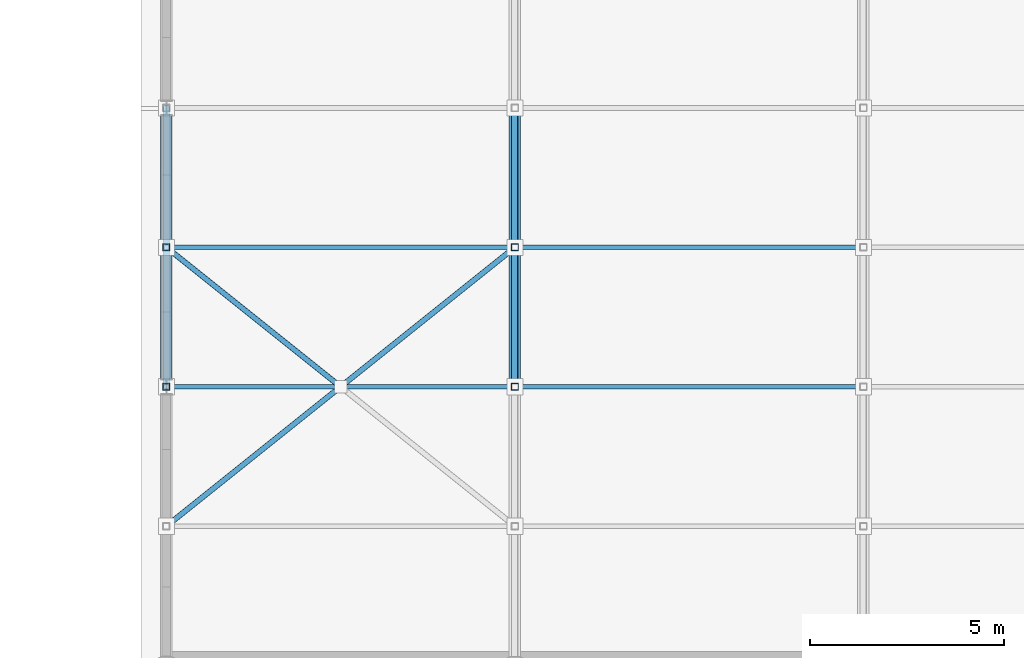
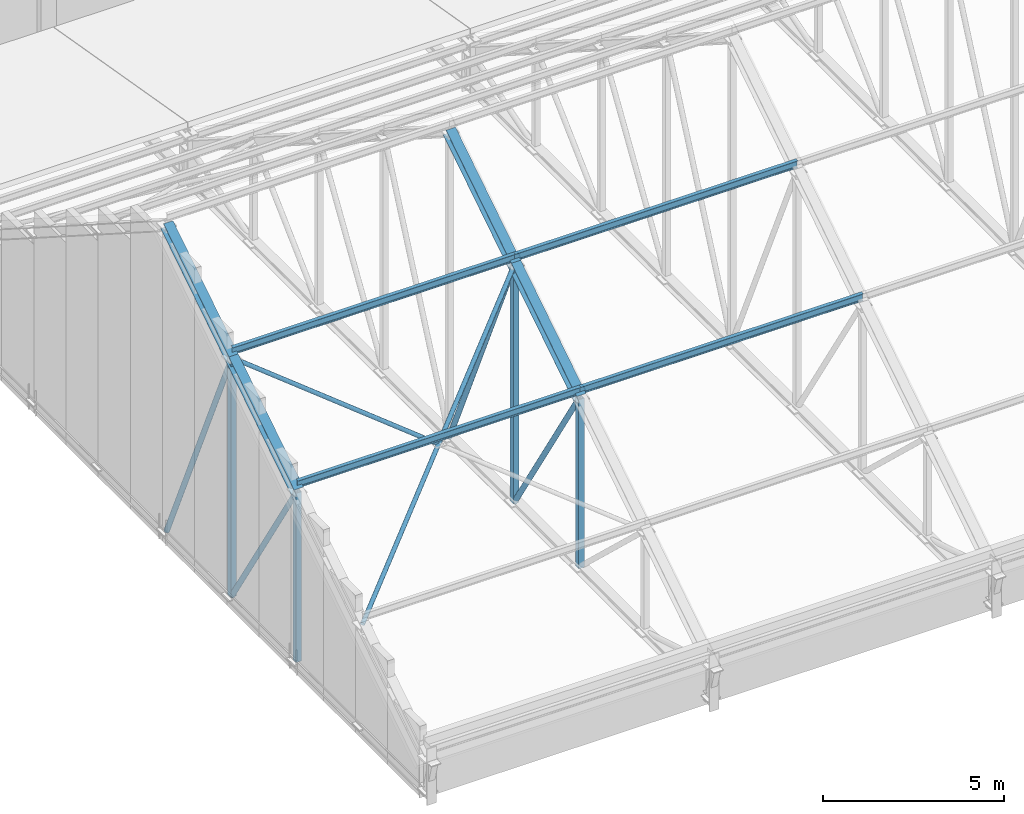
# One storey, part 80 of 182: 18 members.
"""IFC4 building model written with IfcOpenShell, lengths in metres."""

import ifcopenshell
import ifcopenshell.guid

model = None  # the IFC model being written
_history = None  # IfcOwnerHistory: only IFC2X3 demands one
_inside = {}  # id of a spatial element -> (the spatial element, [elements in it])
_under = {}  # id of a project, library or spatial element -> (it, [spatial elements below it])
_declared = {}  # id of a project -> (the project, [libraries it declares])
_typed = {}  # id of a type object -> (the type object, [elements of that type])
_made_of = {}  # id of a material, layer set ... -> (it, [elements and type objects made of it])


def new_model(schema):
    """Start an empty IFC model of exactly this schema.

    Asked for "IFC4X3", IfcOpenShell would pick the latest addendum, in which some entities
    have other attributes; the version numbers below select the first issue.
    IFC2X3 requires an IfcOwnerHistory on every rooted entity: one is made here for all.
    """
    global model, _history
    if schema == "IFC4X3":
        model = ifcopenshell.file(schema_version=(4, 3, 0, 0))
    else:
        model = ifcopenshell.file(schema=schema)
    _inside.clear()
    _under.clear()
    _declared.clear()
    _typed.clear()
    _made_of.clear()
    _history = None
    if model.schema == "IFC2X3":
        org = make("IfcOrganization", Name="unknown")
        user = make(
            "IfcPersonAndOrganization",
            ThePerson=make("IfcPerson", FamilyName="unknown"),
            TheOrganization=org,
        )
        app = make(
            "IfcApplication",
            ApplicationDeveloper=org,
            Version="unknown",
            ApplicationFullName="unknown",
            ApplicationIdentifier="unknown",
        )
        _history = make(
            "IfcOwnerHistory",
            OwningUser=user,
            OwningApplication=app,
            ChangeAction="ADDED",
            CreationDate=0,
        )
    return model


def make(cls, **values):
    """One entity of the class cls with the attributes given. An attribute that is None is left unset."""
    return model.create_entity(
        cls, **{name: value for name, value in values.items() if value is not None}
    )


def rooted(cls, **values):
    """An entity with a GlobalId (a new one), such as an element, a storey or a relation."""
    return make(cls, GlobalId=ifcopenshell.guid.new(), OwnerHistory=_history, **values)


def si_unit(unit_type, name, prefix=None):
    """IfcSIUnit, for example si_unit("LENGTHUNIT", "METRE", prefix="MILLI")."""
    return make("IfcSIUnit", UnitType=unit_type, Prefix=prefix, Name=name)


def assignment(units):
    """IfcUnitAssignment: the units of a project."""
    return None if units is None else make("IfcUnitAssignment", Units=units)


def point(xyz):
    """IfcCartesianPoint."""
    return None if xyz is None else make("IfcCartesianPoint", Coordinates=xyz)


def direction(xyz):
    """IfcDirection."""
    return None if xyz is None else make("IfcDirection", DirectionRatios=xyz)


def frame(location, z_axis=None, x_axis=None):
    """IfcAxis2Placement3D, a coordinate frame: its origin and axes. An axis left out is left unset."""
    return make(
        "IfcAxis2Placement3D",
        Location=point(location),
        Axis=direction(z_axis),
        RefDirection=direction(x_axis),
    )


def frame_2d(location, x_axis=None):
    """IfcAxis2Placement2D, a coordinate frame in the plane: its origin and x axis."""
    return make(
        "IfcAxis2Placement2D", Location=point(location), RefDirection=direction(x_axis)
    )


def origin():
    """The frame at (0, 0, 0) with its axes left unset."""
    return frame((0.0, 0.0, 0.0))


def origin_2d():
    """The frame at (0, 0) in the plane with its x axis left unset."""
    return frame_2d((0.0, 0.0))


def place(relative_to, where):
    """IfcLocalPlacement: puts the frame where relative to a parent placement (None: the world)."""
    return make(
        "IfcLocalPlacement", PlacementRelTo=relative_to, RelativePlacement=where
    )


def context(
    kind, dimensions, precision=None, world=None, true_north=None, identifier=None
):
    """IfcGeometricRepresentationContext, for example the 3D "Model" context."""
    return make(
        "IfcGeometricRepresentationContext",
        ContextIdentifier=identifier,
        ContextType=kind,
        CoordinateSpaceDimension=dimensions,
        Precision=precision,
        WorldCoordinateSystem=world,
        TrueNorth=true_north,
    )


def subcontext(parent, identifier, kind, view, scale=None):
    """IfcGeometricRepresentationSubContext, for example "Body" below "Model"."""
    return make(
        "IfcGeometricRepresentationSubContext",
        ContextIdentifier=identifier,
        ContextType=kind,
        ParentContext=parent,
        TargetScale=scale,
        TargetView=view,
    )


def project(units=None, contexts=None):
    """IfcProject with its units and contexts."""
    return rooted(
        "IfcProject",
        Name="project",
        RepresentationContexts=contexts,
        UnitsInContext=assignment(units),
    )


def spatial(cls, under=None, at=None, **own):
    """A site, building, storey or space (cls), placed at a placement, below another one or the project."""
    s = rooted(cls, ObjectPlacement=at, **own)
    if under is not None:
        _under.setdefault(under.id(), (under, []))[1].append(s)
    return s


def profile(cls, at=None, kind="AREA", **sizes):
    """A parametric profile (cls). Its sizes go by their IFC names, for example OverallWidth=200.0."""
    return make(cls, ProfileType=kind, Position=at, **sizes)


def hollow_rectangle(**sizes):
    """IfcRectangleHollowProfileDef."""
    return profile("IfcRectangleHollowProfileDef", **sizes)


def hollow_circle(**sizes):
    """IfcCircleHollowProfileDef."""
    return profile("IfcCircleHollowProfileDef", **sizes)


def i_section(**sizes):
    """IfcIShapeProfileDef."""
    return profile("IfcIShapeProfileDef", **sizes)


def extrude(swept, where, along, depth):
    """IfcExtrudedAreaSolid: the profile swept, set in the frame where, extruded along a direction by depth."""
    return make(
        "IfcExtrudedAreaSolid",
        SweptArea=swept,
        Position=where,
        ExtrudedDirection=direction(along),
        Depth=depth,
    )


def shape(context_of_items, identifier, shape_type, items):
    """IfcShapeRepresentation: the items that make up one representation, for example the "Body"."""
    return make(
        "IfcShapeRepresentation",
        ContextOfItems=context_of_items,
        RepresentationIdentifier=identifier,
        RepresentationType=shape_type,
        Items=items,
    )


def material(Name=None, Category=None):
    """IfcMaterial."""
    return make("IfcMaterial", Name=Name, Category=Category)


def material_profile(
    of_material, cross_section, Name=None, Category=None, Priority=None
):
    """IfcMaterialProfile: a cross section and its material."""
    return make(
        "IfcMaterialProfile",
        Name=Name,
        Material=of_material,
        Profile=cross_section,
        Priority=Priority,
        Category=Category,
    )


def profile_set(profiles, Name=None, composite=None):
    """IfcMaterialProfileSet."""
    return make(
        "IfcMaterialProfileSet",
        Name=Name,
        MaterialProfiles=profiles,
        CompositeProfile=composite,
    )


def made_of(thing, what):
    """Note that an element or type object is made of a material, layer set ...; save() writes the relation."""
    if what is not None:
        _made_of.setdefault(what.id(), (what, []))[1].append(thing)
    return thing


def type_object(cls, material=None, **own):
    """A type object (cls), such as IfcWallType, which elements share."""
    return made_of(rooted(cls, **own), material)


def element(
    cls,
    number,
    at=None,
    inside=None,
    cuts=None,
    type_object=None,
    material=None,
    context=None,
    identifier="Body",
    shape_type=None,
    held_by="IfcProductDefinitionShape",
    body=None,
    shapes=None,
    **own,
):
    """One element of the class cls, such as IfcWall. Its Tag is "e" and its number.

    at: its placement. inside: the storey or other place that contains it. cuts: it is an
    opening in that element (IfcRelVoidsElement). A single representation is given by context,
    identifier, shape_type and body (its items); several are given by shapes. held_by: the class
    of the entity that holds the representations. save() writes the other relations.
    """
    e = rooted(cls, Tag="e%d" % number, ObjectPlacement=at, **own)
    if body is not None:
        shapes = [shape(context, identifier, shape_type, body)]
    if shapes is not None:
        e.Representation = make(held_by, Representations=shapes)
    if inside is not None:
        _inside.setdefault(inside.id(), (inside, []))[1].append(e)
    if cuts is not None:
        rooted(
            "IfcRelVoidsElement", RelatingBuildingElement=cuts, RelatedOpeningElement=e
        )
    if type_object is not None:
        _typed.setdefault(type_object.id(), (type_object, []))[1].append(e)
    return made_of(e, material)


def aggregate(whole, parts):
    """IfcRelAggregates: a whole, such as a stair, and the parts it consists of."""
    return rooted("IfcRelAggregates", RelatingObject=whole, RelatedObjects=parts)


def save(model, path):
    """Write the relations noted so far, then the file.

    IfcRelAggregates (storeys below a building ...), IfcRelContainedInSpatialStructure (elements
    in a storey), IfcRelDefinesByType, IfcRelAssociatesMaterial and IfcRelDeclares: one each for
    every whole, place, type object, material and project.
    """
    for whole, parts in _under.values():
        aggregate(whole, parts)
    for where, things in _inside.values():
        rooted(
            "IfcRelContainedInSpatialStructure",
            RelatedElements=things,
            RelatingStructure=where,
        )
    for kind, things in _typed.values():
        rooted("IfcRelDefinesByType", RelatedObjects=things, RelatingType=kind)
    for what, things in _made_of.values():
        rooted("IfcRelAssociatesMaterial", RelatedObjects=things, RelatingMaterial=what)
    for by, libraries in _declared.values():
        rooted("IfcRelDeclares", RelatingContext=by, RelatedDefinitions=libraries)
    model.write(path)


model = new_model("IFC4")

# Units and contexts
model_context = context("Model", 3, precision=1e-05, world=origin(), true_north=direction((0.0, 1.0)))
body_context = subcontext(model_context, "Body", "Model", "MODEL_VIEW")
ifc_project = project(units=[si_unit("LENGTHUNIT", "METRE"), si_unit("AREAUNIT", "SQUARE_METRE"), si_unit("VOLUMEUNIT", "CUBIC_METRE"), si_unit("PLANEANGLEUNIT", "RADIAN"), si_unit("MASSUNIT", "GRAM", prefix="KILO")], contexts=[model_context])

# Site, building, storey
site_placement = place(None, origin())
site = spatial("IfcSite", under=ifc_project, at=site_placement, CompositionType="ELEMENT")
building_placement = place(site_placement, origin())
building = spatial("IfcBuilding", under=site, at=building_placement, Name="Chiffa Square Polytechnic", CompositionType="ELEMENT")
storey_placement = place(building_placement, frame((0.0, 0.0, 9.60009765625)))
storey = spatial("IfcBuildingStorey", under=building, at=storey_placement, Name="L02", CompositionType="ELEMENT", Elevation=9.60009765625)

# Members
ifc_material = material(Name="Steel S355", Category="steel")
ifc_material_profile_1 = material_profile(ifc_material, hollow_circle(Radius=0.06982421875, WallThickness=0.008056640625, at=origin_2d()), Name="CHS 139.7x8")
ifc_profile_set_1 = profile_set([ifc_material_profile_1], Name="Steel S355")
member_type_1 = type_object("IfcMemberType", Name="MEM-BRC-CHS140", PredefinedType="BRACE", material=ifc_profile_set_1)
member_1_placement = place(storey_placement, frame((112.199951171875, 61.800048828125, 3.75), z_axis=(0.725245496543, 0.580192462526, 0.370669227441), x_axis=(-0.624692464322, 0.780870876022, 0.0)))
element("IfcMember", 1, at=member_1_placement, inside=storey, type_object=member_type_1, Name="Workshop continuous roof X-brace BR-V2-RF-01S1", PredefinedType="BRACE", context=body_context, shape_type="SweptSolid", body=[
    extrude(hollow_circle(Radius=0.06982421875, WallThickness=0.008056640625, at=origin_2d()), origin(), (0.0, 0.0, 1.0), 12.40966796875),
])
member_2_placement = place(storey_placement, frame((112.199951171875, 69.0, 8.349853515625), z_axis=(0.725231929607, -0.580201282226, -0.370681966625), x_axis=(0.624705380279, 0.780860543151, 0.0)))
element("IfcMember", 2, at=member_2_placement, inside=storey, type_object=member_type_1, Name="Workshop split roof X-brace segment BR-V2-RF-01S2A", PredefinedType="BRACE", context=body_context, shape_type="SweptSolid", body=[
    extrude(hollow_circle(Radius=0.06982421875, WallThickness=0.008056640625, at=origin_2d()), origin(), (0.0, 0.0, 1.0), 6.204833984375),
])
ifc_material_profile_2 = material_profile(ifc_material, i_section(OverallWidth=0.300048828125, OverallDepth=0.31005859375, WebThickness=0.009033203125, FlangeThickness=0.015380859375, FilletRadius=0.027099609375, at=origin_2d()), Name="HEA 320")
ifc_profile_set_2 = profile_set([ifc_material_profile_2], Name="Steel S355")
member_type_2 = type_object("IfcMemberType", Name="MEM-CHORD-HEA320", PredefinedType="CHORD", material=ifc_profile_set_2)
for number, where, z_axis, x_axis, name in (
    (3, (112.199951171875, 65.39990234375, 6.0498046875), (0.0, 0.84269770024, 0.538387022512), (-1.0, 0.0, 0.0), "Workshop roof truss top chord TCT-V2-01-03"),
    (4, (112.199951171875, 69.0, 8.349853515625), (0.0, 0.84269770024, 0.538387022512), (-1.0, 0.0, 0.0), "Workshop roof truss top chord TCT-V2-01-04"),
    (5, (121.199951171875, 65.39990234375, 6.0498046875), (0.0, 0.84269770024, 0.538387022512), (-1.0, 0.0, 0.0), "Workshop roof truss top chord TCT-V2-02-03"),
    (6, (121.199951171875, 69.0, 8.349853515625), (0.0, 0.84269770024, 0.538387022512), (-1.0, 0.0, 0.0), "Workshop roof truss top chord TCT-V2-02-04"),
):
    element("IfcMember", number, at=place(storey_placement, frame(where, z_axis=z_axis, x_axis=x_axis)), inside=storey, type_object=member_type_2, Name=name, PredefinedType="CHORD", context=body_context, shape_type="SweptSolid", body=[
        extrude(i_section(OverallWidth=0.300048828125, OverallDepth=0.31005859375, WebThickness=0.009033203125, FlangeThickness=0.015380859375, FilletRadius=0.027099609375, at=origin_2d()), origin(), (0.0, 0.0, 1.0), 4.272216796875),
    ])
ifc_material_profile_3 = material_profile(ifc_material, i_section(OverallWidth=0.1201171875, OverallDepth=0.239990234375, WebThickness=0.006103515625, FlangeThickness=0.009765625, FilletRadius=0.014892578125, at=origin_2d()), Name="IPE 240")
ifc_profile_set_3 = profile_set([ifc_material_profile_3], Name="Steel S355")
member_type_3 = type_object("IfcMemberType", Name="MEM-PUR-IPE240", PredefinedType="PURLIN", material=ifc_profile_set_3)
for number, where, z_axis, x_axis, name in (
    (7, (112.199951171875, 65.39990234375, 6.2998046875), (1.0, 0.0, 0.0), (0.0, 1.0, 0.0), "Workshop steel roof purlin PU-V2-01-03"),
    (8, (112.199951171875, 69.0, 8.599853515625), (1.0, 0.0, 0.0), (0.0, 1.0, 0.0), "Workshop steel roof purlin PU-V2-01-04"),
    (9, (121.199951171875, 65.39990234375, 6.2998046875), (1.0, 0.0, 0.0), (0.0, 1.0, 0.0), "Workshop steel roof purlin PU-V2-02-03"),
    (10, (121.199951171875, 69.0, 8.599853515625), (1.0, 0.0, 0.0), (0.0, 1.0, 0.0), "Workshop steel roof purlin PU-V2-02-04"),
):
    element("IfcMember", number, at=place(storey_placement, frame(where, z_axis=z_axis, x_axis=x_axis)), inside=storey, type_object=member_type_3, Name=name, PredefinedType="PURLIN", context=body_context, shape_type="SweptSolid", body=[
        extrude(i_section(OverallWidth=0.1201171875, OverallDepth=0.239990234375, WebThickness=0.006103515625, FlangeThickness=0.009765625, FilletRadius=0.014892578125, at=origin_2d()), origin(), (0.0, 0.0, 1.0), 9.0),
    ])
ifc_material_profile_4 = material_profile(ifc_material, hollow_circle(Radius=0.084228515625, WallThickness=0.010009765625, at=origin_2d()), Name="CHS 168.3x10")
ifc_profile_set_4 = profile_set([ifc_material_profile_4], Name="Steel S355")
member_type_4 = type_object("IfcMemberType", Name="MEM-WEB-CHS168", PredefinedType="MEMBER", material=ifc_profile_set_4)
member_3_placement = place(storey_placement, frame((112.199951171875, 65.39990234375, 6.0498046875), z_axis=(0.0, 0.53400661626, -0.845480297695), x_axis=(-1.0, 0.0, 0.0)))
element("IfcMember", 11, at=member_3_placement, inside=storey, type_object=member_type_4, Name="Workshop roof truss diagonal TWD-V2-01-03", PredefinedType="MEMBER", context=body_context, shape_type="SweptSolid", body=[
    extrude(hollow_circle(Radius=0.084228515625, WallThickness=0.010009765625, at=origin_2d()), origin(), (0.0, 0.0, 1.0), 6.74169921875),
])
member_4_placement = place(storey_placement, frame((112.199951171875, 69.0, 8.349853515625), z_axis=(0.0, 0.410373934525, -0.91191733938), x_axis=(-1.0, 0.0, 0.0)))
element("IfcMember", 12, at=member_4_placement, inside=storey, type_object=member_type_4, Name="Workshop roof truss diagonal TWD-V2-01-04", PredefinedType="MEMBER", context=body_context, shape_type="SweptSolid", body=[
    extrude(hollow_circle(Radius=0.084228515625, WallThickness=0.010009765625, at=origin_2d()), origin(), (0.0, 0.0, 1.0), 8.772705078125),
])
member_5_placement = place(storey_placement, frame((121.199951171875, 65.39990234375, 6.0498046875), z_axis=(0.0, 0.53400661626, -0.845480297695), x_axis=(-1.0, 0.0, 0.0)))
element("IfcMember", 13, at=member_5_placement, inside=storey, type_object=member_type_4, Name="Workshop roof truss diagonal TWD-V2-02-03", PredefinedType="MEMBER", context=body_context, shape_type="SweptSolid", body=[
    extrude(hollow_circle(Radius=0.084228515625, WallThickness=0.010009765625, at=origin_2d()), origin(), (0.0, 0.0, 1.0), 6.74169921875),
])
member_6_placement = place(storey_placement, frame((121.199951171875, 69.0, 8.349853515625), z_axis=(0.0, 0.410373934525, -0.91191733938), x_axis=(-1.0, 0.0, 0.0)))
element("IfcMember", 14, at=member_6_placement, inside=storey, type_object=member_type_4, Name="Workshop roof truss diagonal TWD-V2-02-04", PredefinedType="MEMBER", context=body_context, shape_type="SweptSolid", body=[
    extrude(hollow_circle(Radius=0.084228515625, WallThickness=0.010009765625, at=origin_2d()), origin(), (0.0, 0.0, 1.0), 8.772705078125),
])
ifc_material_profile_5 = material_profile(ifc_material, hollow_rectangle(XDim=0.179931640625, YDim=0.179931640625, WallThickness=0.010009765625, at=origin_2d()), Name="RHS 180x180x10")
ifc_profile_set_5 = profile_set([ifc_material_profile_5], Name="Steel S355")
member_type_5 = type_object("IfcMemberType", Name="MEM-WEB-RHS180", PredefinedType="MEMBER", material=ifc_profile_set_5)
member_7_placement = place(storey_placement, frame((112.199951171875, 65.39990234375, 0.349853515625), z_axis=(0.0, 0.0, 1.0), x_axis=(1.0, 0.0, 0.0)))
element("IfcMember", 15, at=member_7_placement, inside=storey, type_object=member_type_5, Name="Workshop roof truss vertical TWV-V2-01-03", PredefinedType="MEMBER", context=body_context, shape_type="SweptSolid", body=[
    extrude(hollow_rectangle(XDim=0.179931640625, YDim=0.179931640625, WallThickness=0.010009765625, at=origin_2d()), origin(), (0.0, 0.0, 1.0), 5.699951171875),
])
member_8_placement = place(storey_placement, frame((112.199951171875, 69.0, 0.349853515625), z_axis=(0.0, 0.0, 1.0), x_axis=(1.0, 0.0, 0.0)))
element("IfcMember", 16, at=member_8_placement, inside=storey, type_object=member_type_5, Name="Workshop roof truss vertical TWV-V2-01-04", PredefinedType="MEMBER", context=body_context, shape_type="SweptSolid", body=[
    extrude(hollow_rectangle(XDim=0.179931640625, YDim=0.179931640625, WallThickness=0.010009765625, at=origin_2d()), origin(), (0.0, 0.0, 1.0), 8.0),
])
member_9_placement = place(storey_placement, frame((121.199951171875, 65.39990234375, 0.349853515625), z_axis=(0.0, 0.0, 1.0), x_axis=(1.0, 0.0, 0.0)))
element("IfcMember", 17, at=member_9_placement, inside=storey, type_object=member_type_5, Name="Workshop roof truss vertical TWV-V2-02-03", PredefinedType="MEMBER", context=body_context, shape_type="SweptSolid", body=[
    extrude(hollow_rectangle(XDim=0.179931640625, YDim=0.179931640625, WallThickness=0.010009765625, at=origin_2d()), origin(), (0.0, 0.0, 1.0), 5.699951171875),
])
member_10_placement = place(storey_placement, frame((121.199951171875, 69.0, 0.349853515625), z_axis=(0.0, 0.0, 1.0), x_axis=(1.0, 0.0, 0.0)))
element("IfcMember", 18, at=member_10_placement, inside=storey, type_object=member_type_5, Name="Workshop roof truss vertical TWV-V2-02-04", PredefinedType="MEMBER", context=body_context, shape_type="SweptSolid", body=[
    extrude(hollow_rectangle(XDim=0.179931640625, YDim=0.179931640625, WallThickness=0.010009765625, at=origin_2d()), origin(), (0.0, 0.0, 1.0), 8.0),
])

save(model, "model.ifc")
